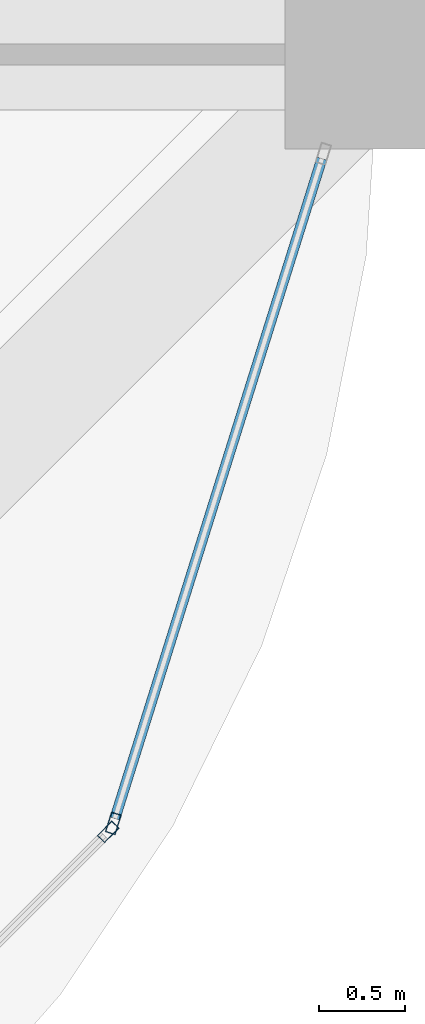
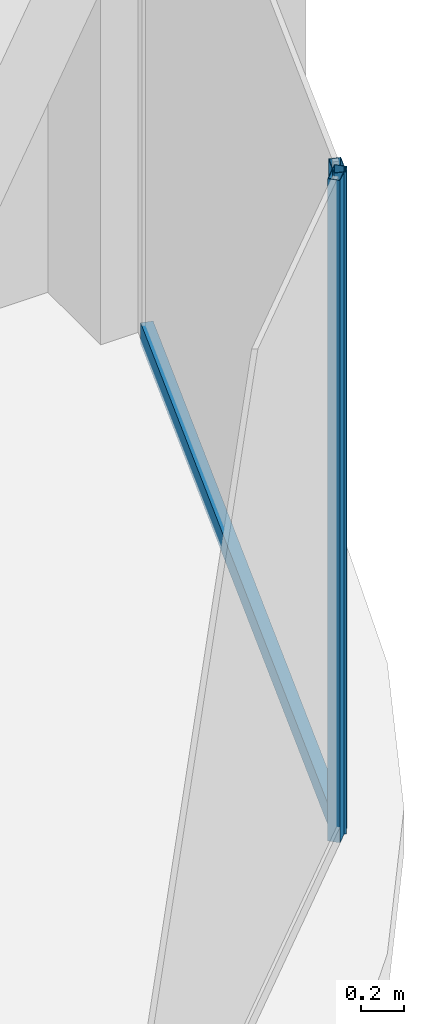
# One storey, part 20 of 44: 3 members, 2 elements without a shape of their own.
"""IFC4 building model written with IfcOpenShell, lengths in metres."""

from ifc_helpers import new_model, si_unit, direction, frame, origin, origin_2d, place, context, subcontext, project, spatial, hollow_rectangle, extrude, material, material_profile, profile_set, type_object, element, aggregate, save


model = new_model("IFC4")

# Units and contexts
model_context = context("Model", 3, precision=1e-05, world=origin(), true_north=direction((0.0, 1.0)))
body_context = subcontext(model_context, "Body", "Model", "MODEL_VIEW")
ifc_project = project(units=[si_unit("LENGTHUNIT", "METRE"), si_unit("AREAUNIT", "SQUARE_METRE"), si_unit("VOLUMEUNIT", "CUBIC_METRE"), si_unit("PLANEANGLEUNIT", "RADIAN"), si_unit("MASSUNIT", "GRAM", prefix="KILO")], contexts=[model_context])

# Site, building, storey
site_placement = place(None, origin())
site = spatial("IfcSite", under=ifc_project, at=site_placement, CompositionType="ELEMENT")
building_placement = place(site_placement, origin())
building = spatial("IfcBuilding", under=site, at=building_placement, Name="Zorevar Civic Tower", CompositionType="ELEMENT")
storey_placement = place(building_placement, frame((0.0, 0.0, 255.39990234375)))
storey = spatial("IfcBuildingStorey", under=building, at=storey_placement, Name="L62", CompositionType="ELEMENT", Elevation=255.39990234375)

# Curtain wall, member
ifc_material_1 = material(Name="Dark grey solar-control glass in black aluminium frame", Category="aluminium")
curtain_wall_type = type_object("IfcCurtainWallType", Name="Curtain wall CW5 top zone", PredefinedType="NOTDEFINED", material=ifc_material_1)
curtain_wall_1_placement = place(storey_placement, origin())
curtain_wall_1 = element("IfcCurtainWall", 1, at=curtain_wall_1_placement, inside=storey, type_object=curtain_wall_type, Name="CW5 L62", PredefinedType="NOTDEFINED")
ifc_material_2 = material(Name="Aluminium, black anodised", Category="aluminium")
ifc_material_profile_1 = material_profile(ifc_material_2, hollow_rectangle(XDim=0.06005859375, YDim=0.1201171875, WallThickness=0.0029296875, at=origin_2d()), Name="AL 120x60x3")
ifc_profile_set_1 = profile_set([ifc_material_profile_1], Name="Aluminium, black anodised")
member_type_1 = type_object("IfcMemberType", Name="CW5 mullion AL 120x60x3", PredefinedType="MULLION", material=ifc_profile_set_1)
member_1_placement = place(storey_placement, frame((52.419677734375, 4.470947265625, 0.0), z_axis=(0.0, 0.0, 1.0), x_axis=(-0.707106781187, 0.707106781187, 0.0)))
member_1 = element("IfcMember", 2, at=member_1_placement, type_object=member_type_1, Name="CW5 mullion 2", PredefinedType="MULLION", context=body_context, shape_type="SweptSolid", body=[
    extrude(hollow_rectangle(XDim=0.06005859375, YDim=0.1201171875, WallThickness=0.0029296875, at=origin_2d()), origin(), (0.0, 0.0, 1.0), 3.75),
])
aggregate(curtain_wall_1, [member_1])

# Curtain wall, members
curtain_wall_2_placement = place(storey_placement, origin())
curtain_wall_2 = element("IfcCurtainWall", 3, at=curtain_wall_2_placement, inside=storey, type_object=curtain_wall_type, Name="CW5 L62", PredefinedType="NOTDEFINED")
member_2_placement = place(storey_placement, frame((52.449951171875, 4.520751953125, 0.0), z_axis=(0.0, 0.0, 1.0), x_axis=(-0.954153437674, 0.299317920238, 0.0)))
member_2 = element("IfcMember", 4, at=member_2_placement, type_object=member_type_1, Name="CW5 mullion 1", PredefinedType="MULLION", context=body_context, shape_type="SweptSolid", body=[
    extrude(hollow_rectangle(XDim=0.06005859375, YDim=0.1201171875, WallThickness=0.0029296875, at=origin_2d()), origin(), (0.0, 0.0, 1.0), 3.75),
])
ifc_material_3 = material(Name="Aluminium, black anodised", Category="aluminium")
ifc_material_profile_2 = material_profile(ifc_material_3, hollow_rectangle(XDim=0.06005859375, YDim=0.1201171875, WallThickness=0.0029296875, at=origin_2d()), Name="AL 120x60x3")
ifc_profile_set_2 = profile_set([ifc_material_profile_2], Name="Aluminium, black anodised")
member_type_2 = type_object("IfcMemberType", Name="CW5 transom AL 120x60x3", PredefinedType="USERDEFINED", material=ifc_profile_set_2)
member_3_placement = place(storey_placement, frame((52.458984375, 4.54931640625, 0.030029296875), z_axis=(0.299285978047, 0.954163457351, 0.0), x_axis=(-0.954163457351, 0.299285978047, 0.0)))
member_3 = element("IfcMember", 5, at=member_3_placement, type_object=member_type_2, Name="CW5 sill transom", ObjectType="TRANSOM", PredefinedType="USERDEFINED", context=body_context, shape_type="SweptSolid", body=[
    extrude(hollow_rectangle(XDim=0.06005859375, YDim=0.1201171875, WallThickness=0.0029296875, at=origin_2d()), origin(), (0.0, 0.0, 1.0), 4.028076171875),
])
aggregate(curtain_wall_2, [member_2, member_3])

save(model, "model.ifc")
